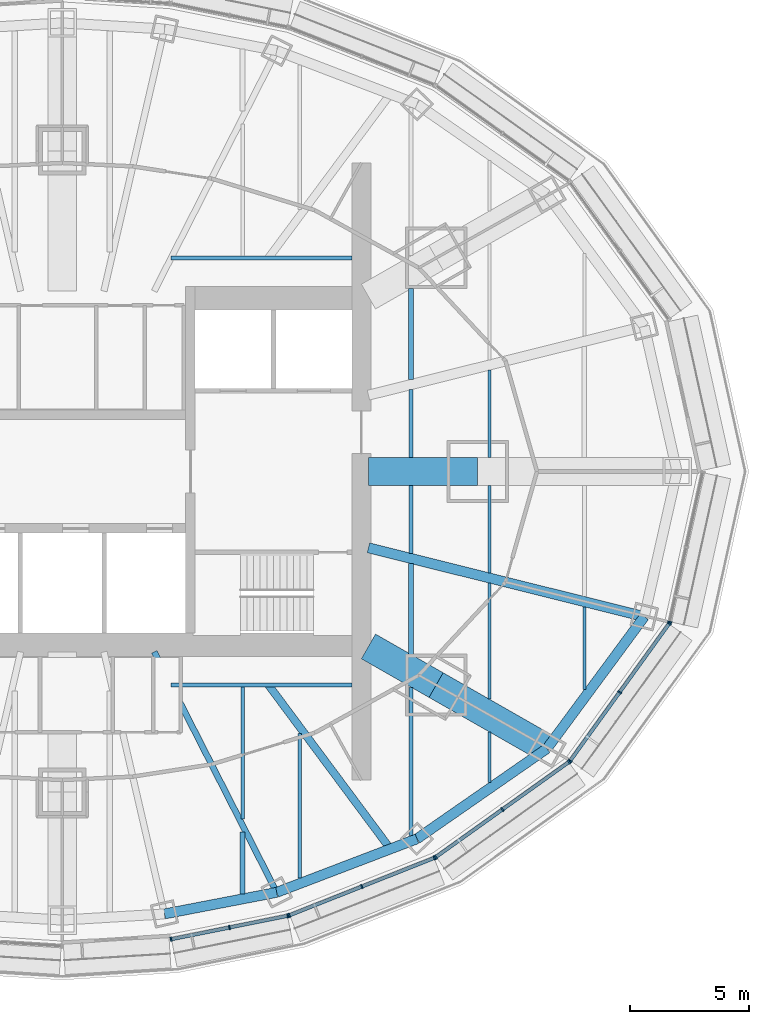
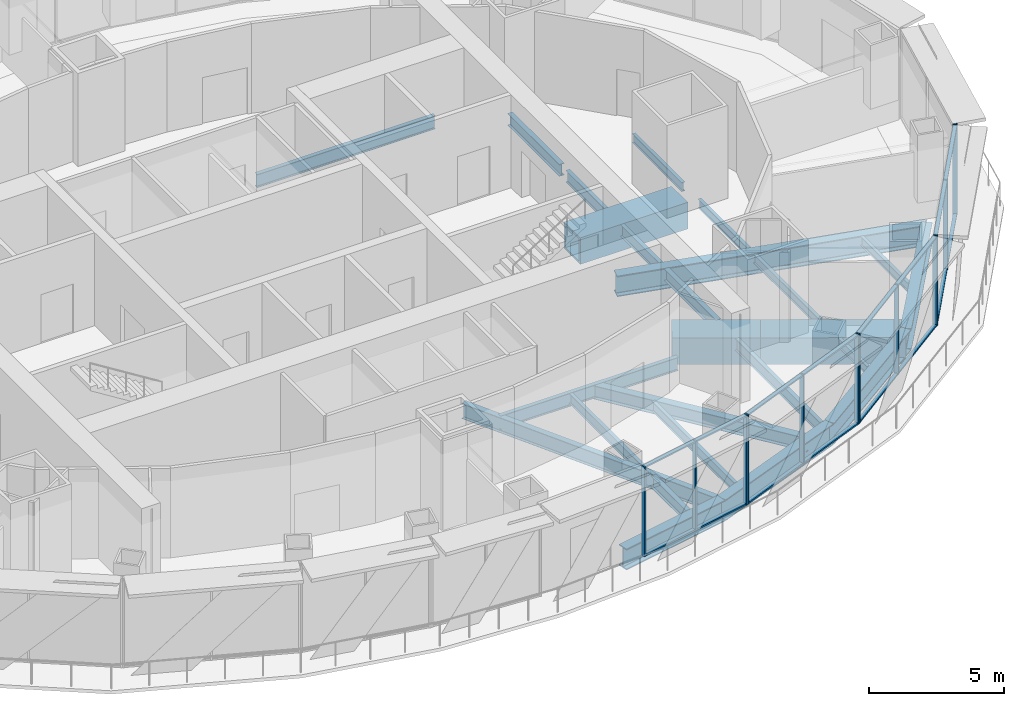
# One storey, part 5 of 17: 29 members, 25 beams, 5 elements without a shape of their own.
"""IFC4 building model written with IfcOpenShell, lengths in metres."""

from ifc_helpers import new_model, si_unit, direction, frame, origin, origin_2d, place, context, subcontext, project, spatial, rectangle, hollow_rectangle, i_section, extrude, material, material_profile, profile_set, type_object, element, aggregate, save


model = new_model("IFC4")

# Units and contexts
model_context = context("Model", 3, precision=1e-05, world=origin(), true_north=direction((0.0, 1.0)))
body_context = subcontext(model_context, "Body", "Model", "MODEL_VIEW")
ifc_project = project(units=[si_unit("LENGTHUNIT", "METRE"), si_unit("AREAUNIT", "SQUARE_METRE"), si_unit("VOLUMEUNIT", "CUBIC_METRE"), si_unit("PLANEANGLEUNIT", "RADIAN"), si_unit("MASSUNIT", "GRAM", prefix="KILO")], contexts=[model_context])

# Site, building, storey
site_placement = place(None, origin())
site = spatial("IfcSite", under=ifc_project, at=site_placement, CompositionType="ELEMENT")
building_placement = place(site_placement, origin())
building = spatial("IfcBuilding", under=site, at=building_placement, Name="Lantaw Convention Tower", CompositionType="ELEMENT")
storey_placement = place(building_placement, frame((0.0, 0.0, 199.0)))
storey = spatial("IfcBuildingStorey", under=building, at=storey_placement, Name="L46", CompositionType="ELEMENT", Elevation=199.0)

# Beams
ifc_material_1 = material(Name="Steel ASTM A992", Category="steel")
ifc_material_profile_1 = material_profile(ifc_material_1, i_section(OverallWidth=0.424072265625, OverallDepth=0.947509765625, WebThickness=0.02392578125, FlangeThickness=0.042724609375, FilletRadius=0.012451171875, at=origin_2d()), Name="W36X302")
ifc_profile_set_1 = profile_set([ifc_material_profile_1], Name="Steel ASTM A992")
beam_type_1 = type_object("IfcBeamType", Name="Beam BC W36X302", PredefinedType="SPANDREL", material=ifc_profile_set_1)
beam_1_placement = place(storey_placement, frame((4.303955078125, -18.64208984375, -0.623779296875), z_axis=(0.981972091702, 0.189025953556, 0.0), x_axis=(-0.189025953556, 0.981972091702, 0.0)))
element("IfcBeam", 1, at=beam_1_placement, inside=storey, type_object=beam_type_1, Name="Belt truss chord 20", PredefinedType="SPANDREL", context=body_context, shape_type="SweptSolid", body=[
    extrude(i_section(OverallWidth=0.424072265625, OverallDepth=0.947509765625, WebThickness=0.02392578125, FlangeThickness=0.042724609375, FilletRadius=0.012451171875, at=origin_2d()), origin(), (0.0, 0.0, 1.0), 4.817626953125),
])
beam_2_placement = place(storey_placement, frame((9.03466796875, -17.7314453125, -0.623779296875), z_axis=(0.934234988, 0.356658081637, 0.0), x_axis=(-0.356658081637, 0.934234988, 0.0)))
element("IfcBeam", 2, at=beam_2_placement, inside=storey, type_object=beam_type_1, Name="Belt truss chord 21", PredefinedType="SPANDREL", context=body_context, shape_type="SweptSolid", body=[
    extrude(i_section(OverallWidth=0.424072265625, OverallDepth=0.947509765625, WebThickness=0.02392578125, FlangeThickness=0.042724609375, FilletRadius=0.012451171875, at=origin_2d()), origin(), (0.0, 0.0, 1.0), 6.32568359375),
])
beam_3_placement = place(storey_placement, frame((14.9443359375, -15.475341796875, -0.623779296875), z_axis=(0.82135329406, 0.570419815869, 0.0), x_axis=(-0.570419815869, 0.82135329406, 0.0)))
element("IfcBeam", 3, at=beam_3_placement, inside=storey, type_object=beam_type_1, Name="Belt truss chord 22", PredefinedType="SPANDREL", context=body_context, shape_type="SweptSolid", body=[
    extrude(i_section(OverallWidth=0.424072265625, OverallDepth=0.947509765625, WebThickness=0.02392578125, FlangeThickness=0.042724609375, FilletRadius=0.012451171875, at=origin_2d()), origin(), (0.0, 0.0, 1.0), 6.67041015625),
])
beam_4_placement = place(storey_placement, frame((20.423095703125, -11.67041015625, -0.623779296875), z_axis=(0.593639188853, 0.804731329984, 0.0), x_axis=(-0.804731329984, 0.593639188853, 0.0)))
element("IfcBeam", 4, at=beam_4_placement, inside=storey, type_object=beam_type_1, Name="Belt truss chord 23", PredefinedType="SPANDREL", context=body_context, shape_type="SweptSolid", body=[
    extrude(i_section(OverallWidth=0.424072265625, OverallDepth=0.947509765625, WebThickness=0.02392578125, FlangeThickness=0.042724609375, FilletRadius=0.012451171875, at=origin_2d()), origin(), (0.0, 0.0, 1.0), 6.904541015625),
])
ifc_material_profile_2 = material_profile(ifc_material_1, i_section(OverallWidth=0.177978515625, OverallDepth=0.599365234375, WebThickness=0.010009765625, FlangeThickness=0.012939453125, FilletRadius=0.012939453125, at=origin_2d()), Name="W24X55")
ifc_profile_set_2 = profile_set([ifc_material_profile_2], Name="Steel ASTM A992")
beam_type_2 = type_object("IfcBeamType", Name="Beam CC W24X55", PredefinedType="BEAM", material=ifc_profile_set_2)
for number, where, z_axis, x_axis, name in (
    (5, (12.199951171875, 9.0, -0.44970703125), (-1.0, 0.0, 0.0), (0.0, -1.0, 0.0), "Core collector beam on ray 4"),
    (6, (12.199951171875, -9.0, -0.44970703125), (-1.0, 0.0, 0.0), (0.0, -1.0, 0.0), "Core collector beam on ray 22"),
):
    element("IfcBeam", number, at=place(storey_placement, frame(where, z_axis=z_axis, x_axis=x_axis)), inside=storey, type_object=beam_type_2, Name=name, PredefinedType="BEAM", context=body_context, shape_type="SweptSolid", body=[
        extrude(i_section(OverallWidth=0.177978515625, OverallDepth=0.599365234375, WebThickness=0.010009765625, FlangeThickness=0.012939453125, FilletRadius=0.012939453125, at=origin_2d()), origin(), (0.0, 0.0, 1.0), 7.6142578125),
    ])
ifc_material_2 = material(Name="Steel EN 10025-3 S460N", Category="steel")
ifc_material_profile_3 = material_profile(ifc_material_2, hollow_rectangle(XDim=1.199951171875, YDim=1.199951171875, WallThickness=0.10009765625, at=origin_2d()), Name="BOX1200X100")
ifc_profile_set_3 = profile_set([ifc_material_profile_3], Name="Steel EN 10025-3 S460N")
beam_type_3 = type_object("IfcBeamType", Name="Beam G BOX1200X100", PredefinedType="BEAM", material=ifc_profile_set_3)
beam_5_placement = place(storey_placement, frame((15.75, -9.0, -0.75), z_axis=(0.868237559289, -0.496148708192, 0.0), x_axis=(0.496148708192, 0.868237559289, 0.0)))
element("IfcBeam", 7, at=beam_5_placement, inside=storey, type_object=beam_type_3, Name="Floor girder on ray 23", PredefinedType="BEAM", context=body_context, shape_type="SweptSolid", body=[
    extrude(hollow_rectangle(XDim=1.199951171875, YDim=1.199951171875, WallThickness=0.10009765625, at=origin_2d()), origin(), (0.0, 0.0, 1.0), 5.38232421875),
])
ifc_material_profile_4 = material_profile(ifc_material_1, i_section(OverallWidth=0.3251953125, OverallDepth=0.612060546875, WebThickness=0.0126953125, FlangeThickness=0.01904296875, FilletRadius=0.0126953125, at=origin_2d()), Name="W24X104")
ifc_profile_set_4 = profile_set([ifc_material_profile_4], Name="Steel ASTM A992")
beam_type_4 = type_object("IfcBeamType", Name="Beam G W24X104", PredefinedType="BEAM", material=ifc_profile_set_4)
beam_6_placement = place(storey_placement, frame((8.691162109375, -9.0, -0.4560546875), z_axis=(0.596616067071, -0.802526802364, 0.0), x_axis=(0.802526802364, 0.596616067071, 0.0)))
element("IfcBeam", 8, at=beam_6_placement, inside=storey, type_object=beam_type_4, Name="Floor girder on ray 22", PredefinedType="BEAM", context=body_context, shape_type="SweptSolid", body=[
    extrude(i_section(OverallWidth=0.3251953125, OverallDepth=0.612060546875, WebThickness=0.0126953125, FlangeThickness=0.01904296875, FilletRadius=0.0126953125, at=origin_2d()), origin(), (0.0, 0.0, 1.0), 8.60205078125),
])
ifc_material_profile_5 = material_profile(ifc_material_1, i_section(OverallWidth=0.25390625, OverallDepth=0.683349609375, WebThickness=0.012451171875, FlangeThickness=0.01904296875, FilletRadius=0.01513671875, at=origin_2d()), Name="W27X94")
ifc_profile_set_5 = profile_set([ifc_material_profile_5], Name="Steel ASTM A992")
beam_type_5 = type_object("IfcBeamType", Name="Beam G W27X94", PredefinedType="BEAM", material=ifc_profile_set_5)
beam_7_placement = place(storey_placement, frame((3.872314453125, -7.60009765625, -0.49169921875), z_axis=(0.454002651457, -0.891000332475, 0.0), x_axis=(0.891000332475, 0.454002651457, 0.0)))
element("IfcBeam", 9, at=beam_7_placement, inside=storey, type_object=beam_type_5, Name="Floor girder on ray 21", PredefinedType="BEAM", context=body_context, shape_type="SweptSolid", body=[
    extrude(i_section(OverallWidth=0.25390625, OverallDepth=0.683349609375, WebThickness=0.012451171875, FlangeThickness=0.01904296875, FilletRadius=0.01513671875, at=origin_2d()), origin(), (0.0, 0.0, 1.0), 11.370849609375),
])
ifc_material_profile_6 = material_profile(ifc_material_1, i_section(OverallWidth=0.421630859375, OverallDepth=0.937255859375, WebThickness=0.0224609375, FlangeThickness=0.039794921875, FilletRadius=0.02001953125, at=origin_2d()), Name="W36X282")
ifc_profile_set_6 = profile_set([ifc_material_profile_6], Name="Steel ASTM A992")
beam_type_6 = type_object("IfcBeamType", Name="Beam G W36X282", PredefinedType="BEAM", material=ifc_profile_set_6)
beam_8_placement = place(storey_placement, frame((12.89990234375, -3.21630859375, -0.61865234375), z_axis=(0.970295775305, -0.241921698956, 0.0), x_axis=(0.241921698956, 0.970295775305, 0.0)))
element("IfcBeam", 10, at=beam_8_placement, inside=storey, type_object=beam_type_6, Name="Floor girder on ray 24", PredefinedType="BEAM", context=body_context, shape_type="SweptSolid", body=[
    extrude(i_section(OverallWidth=0.421630859375, OverallDepth=0.937255859375, WebThickness=0.0224609375, FlangeThickness=0.039794921875, FilletRadius=0.02001953125, at=origin_2d()), origin(), (0.0, 0.0, 1.0), 11.977783203125),
])
ifc_material_profile_7 = material_profile(ifc_material_1, i_section(OverallWidth=0.140380859375, OverallDepth=0.40380859375, WebThickness=0.007080078125, FlangeThickness=0.01123046875, FilletRadius=0.01025390625, at=origin_2d()), Name="W16X31")
ifc_profile_set_7 = profile_set([ifc_material_profile_7], Name="Steel ASTM A992")
beam_type_7 = type_object("IfcBeamType", Name="Beam J W16X31", PredefinedType="JOIST", material=ifc_profile_set_7)
beam_9_placement = place(storey_placement, frame((18.0, -13.094970703125, -0.35205078125), z_axis=(0.0, 1.0, 0.0), x_axis=(-1.0, 0.0, 0.0)))
element("IfcBeam", 11, at=beam_9_placement, inside=storey, type_object=beam_type_7, Name="Floor joist", PredefinedType="JOIST", context=body_context, shape_type="SweptSolid", body=[
    extrude(i_section(OverallWidth=0.140380859375, OverallDepth=0.40380859375, WebThickness=0.007080078125, FlangeThickness=0.01123046875, FilletRadius=0.01025390625, at=origin_2d()), origin(), (0.0, 0.0, 1.0), 2.1181640625),
])
beam_10_placement = place(storey_placement, frame((18.0, -9.5947265625, -0.35205078125), z_axis=(0.0, 1.0, 0.0), x_axis=(-1.0, 0.0, 0.0)))
element("IfcBeam", 12, at=beam_10_placement, inside=storey, type_object=beam_type_7, Name="Floor joist", PredefinedType="JOIST", context=body_context, shape_type="SweptSolid", body=[
    extrude(i_section(OverallWidth=0.140380859375, OverallDepth=0.40380859375, WebThickness=0.007080078125, FlangeThickness=0.01123046875, FilletRadius=0.01025390625, at=origin_2d()), origin(), (0.0, 0.0, 1.0), 4.8896484375),
])
for number, where, z_axis, x_axis, name in (
    (13, (18.0, -4.270751953125, -0.35205078125), (0.0, 1.0, 0.0), (-1.0, 0.0, 0.0), "Floor joist"),
    (14, (18.0, 0.60009765625, -0.35205078125), (0.0, 1.0, 0.0), (-1.0, 0.0, 0.0), "Floor joist"),
):
    element("IfcBeam", number, at=place(storey_placement, frame(where, z_axis=z_axis, x_axis=x_axis)), inside=storey, type_object=beam_type_7, Name=name, PredefinedType="JOIST", context=body_context, shape_type="SweptSolid", body=[
        extrude(i_section(OverallWidth=0.140380859375, OverallDepth=0.40380859375, WebThickness=0.007080078125, FlangeThickness=0.01123046875, FilletRadius=0.01025390625, at=origin_2d()), origin(), (0.0, 0.0, 1.0), 3.670654296875),
    ])
beam_11_placement = place(storey_placement, frame((22.0, -9.175537109375, -0.35205078125), z_axis=(0.0, 1.0, 0.0), x_axis=(-1.0, 0.0, 0.0)))
element("IfcBeam", 15, at=beam_11_placement, inside=storey, type_object=beam_type_7, Name="Floor joist", PredefinedType="JOIST", context=body_context, shape_type="SweptSolid", body=[
    extrude(i_section(OverallWidth=0.140380859375, OverallDepth=0.40380859375, WebThickness=0.007080078125, FlangeThickness=0.01123046875, FilletRadius=0.01025390625, at=origin_2d()), origin(), (0.0, 0.0, 1.0), 3.47314453125),
])
ifc_material_profile_8 = material_profile(ifc_material_1, i_section(OverallWidth=0.15234375, OverallDepth=0.449462890625, WebThickness=0.007568359375, FlangeThickness=0.0107421875, FilletRadius=0.01025390625, at=origin_2d()), Name="W18X35")
ifc_profile_set_8 = profile_set([ifc_material_profile_8], Name="Steel ASTM A992")
beam_type_8 = type_object("IfcBeamType", Name="Beam J W18X35", PredefinedType="JOIST", material=ifc_profile_set_8)
beam_12_placement = place(storey_placement, frame((7.60009765625, -14.635986328125, -0.374755859375), z_axis=(0.0, 1.0, 0.0), x_axis=(-1.0, 0.0, 0.0)))
element("IfcBeam", 16, at=beam_12_placement, inside=storey, type_object=beam_type_8, Name="Floor joist", PredefinedType="JOIST", context=body_context, shape_type="SweptSolid", body=[
    extrude(i_section(OverallWidth=0.15234375, OverallDepth=0.449462890625, WebThickness=0.007568359375, FlangeThickness=0.0107421875, FilletRadius=0.01025390625, at=origin_2d()), origin(), (0.0, 0.0, 1.0), 5.546875),
])
beam_13_placement = place(storey_placement, frame((10.0, -17.135986328125, -0.374755859375), z_axis=(0.0, 1.0, 0.0), x_axis=(-1.0, 0.0, 0.0)))
element("IfcBeam", 17, at=beam_13_placement, inside=storey, type_object=beam_type_8, Name="Floor joist", PredefinedType="JOIST", context=body_context, shape_type="SweptSolid", body=[
    extrude(i_section(OverallWidth=0.15234375, OverallDepth=0.449462890625, WebThickness=0.007568359375, FlangeThickness=0.0107421875, FilletRadius=0.01025390625, at=origin_2d()), origin(), (0.0, 0.0, 1.0), 6.10302734375),
])
ifc_material_profile_9 = material_profile(ifc_material_1, i_section(OverallWidth=0.1650390625, OverallDepth=0.52587890625, WebThickness=0.0087890625, FlangeThickness=0.011474609375, FilletRadius=0.0126953125, at=origin_2d()), Name="W21X44")
ifc_profile_set_9 = profile_set([ifc_material_profile_9], Name="Steel ASTM A992")
beam_type_9 = type_object("IfcBeamType", Name="Beam J W21X44", PredefinedType="JOIST", material=ifc_profile_set_9)
beam_14_placement = place(storey_placement, frame((14.699951171875, -15.341796875, -0.412841796875), z_axis=(0.0, 1.0, 0.0), x_axis=(-1.0, 0.0, 0.0)))
element("IfcBeam", 18, at=beam_14_placement, inside=storey, type_object=beam_type_9, Name="Floor joist", PredefinedType="JOIST", context=body_context, shape_type="SweptSolid", body=[
    extrude(i_section(OverallWidth=0.1650390625, OverallDepth=0.52587890625, WebThickness=0.0087890625, FlangeThickness=0.011474609375, FilletRadius=0.0126953125, at=origin_2d()), origin(), (0.0, 0.0, 1.0), 6.250732421875),
])
for number, where, z_axis, x_axis, name in (
    (19, (14.699951171875, -3.44775390625, -0.412841796875), (0.0, 1.0, 0.0), (-1.0, 0.0, 0.0), "Floor joist"),
    (20, (14.699951171875, 0.60009765625, -0.412841796875), (0.0, 1.0, 0.0), (-1.0, 0.0, 0.0), "Floor joist"),
):
    element("IfcBeam", number, at=place(storey_placement, frame(where, z_axis=z_axis, x_axis=x_axis)), inside=storey, type_object=beam_type_9, Name=name, PredefinedType="JOIST", context=body_context, shape_type="SweptSolid", body=[
        extrude(i_section(OverallWidth=0.1650390625, OverallDepth=0.52587890625, WebThickness=0.0087890625, FlangeThickness=0.011474609375, FilletRadius=0.0126953125, at=origin_2d()), origin(), (0.0, 0.0, 1.0), 2.84765625),
    ])
ifc_material_profile_10 = material_profile(ifc_material_1, i_section(OverallWidth=0.2099609375, OverallDepth=0.535888671875, WebThickness=0.010986328125, FlangeThickness=0.017333984375, FilletRadius=0.012939453125, at=origin_2d()), Name="W21X68")
ifc_profile_set_10 = profile_set([ifc_material_profile_10], Name="Steel ASTM A992")
beam_type_10 = type_object("IfcBeamType", Name="Beam J W21X68", PredefinedType="JOIST", material=ifc_profile_set_10)
beam_15_placement = place(storey_placement, frame((7.60009765625, -17.791748046875, -0.41796875), z_axis=(0.0, 1.0, 0.0), x_axis=(-1.0, 0.0, 0.0)))
element("IfcBeam", 21, at=beam_15_placement, inside=storey, type_object=beam_type_10, Name="Floor joist", PredefinedType="JOIST", context=body_context, shape_type="SweptSolid", body=[
    extrude(i_section(OverallWidth=0.2099609375, OverallDepth=0.535888671875, WebThickness=0.010986328125, FlangeThickness=0.017333984375, FilletRadius=0.012939453125, at=origin_2d()), origin(), (0.0, 0.0, 1.0), 2.59619140625),
])
for number, where, z_axis, x_axis, name in (
    (22, (14.699951171875, -7.708984375, -0.41796875), (0.0, 1.0, 0.0), (-1.0, 0.0, 0.0), "Floor joist"),
    (23, (14.699951171875, 3.88232421875, -0.41796875), (0.0, 1.0, 0.0), (-1.0, 0.0, 0.0), "Floor joist"),
):
    element("IfcBeam", number, at=place(storey_placement, frame(where, z_axis=z_axis, x_axis=x_axis)), inside=storey, type_object=beam_type_10, Name=name, PredefinedType="JOIST", context=body_context, shape_type="SweptSolid", body=[
        extrude(i_section(OverallWidth=0.2099609375, OverallDepth=0.535888671875, WebThickness=0.010986328125, FlangeThickness=0.017333984375, FilletRadius=0.012939453125, at=origin_2d()), origin(), (0.0, 0.0, 1.0), 3.82666015625),
    ])
ifc_material_profile_11 = material_profile(ifc_material_2, hollow_rectangle(XDim=1.199951171875, YDim=1.199951171875, WallThickness=0.10009765625, at=origin_2d()), Name="BOX1200X100")
ifc_profile_set_11 = profile_set([ifc_material_profile_11], Name="Steel EN 10025-3 S460N")
beam_type_11 = type_object("IfcBeamType", Name="Beam OC BOX1200X100", PredefinedType="BEAM", material=ifc_profile_set_11)
beam_16_placement = place(storey_placement, frame((12.89990234375, 0.0, -0.75), z_axis=(1.0, 0.0, 0.0), x_axis=(0.0, 1.0, 0.0)))
element("IfcBeam", 24, at=beam_16_placement, inside=storey, type_object=beam_type_11, Name="Outrigger chord on ray 1", PredefinedType="BEAM", context=body_context, shape_type="SweptSolid", body=[
    extrude(hollow_rectangle(XDim=1.199951171875, YDim=1.199951171875, WallThickness=0.10009765625, at=origin_2d()), origin(), (0.0, 0.0, 1.0), 4.60009765625),
])
beam_17_placement = place(storey_placement, frame((12.89990234375, -7.371337890625, -0.75), z_axis=(0.868238565244, -0.496146947811, 0.0), x_axis=(0.496146947811, 0.868238565244, 0.0)))
element("IfcBeam", 25, at=beam_17_placement, inside=storey, type_object=beam_type_11, Name="Outrigger chord on ray 23", PredefinedType="BEAM", context=body_context, shape_type="SweptSolid", body=[
    extrude(hollow_rectangle(XDim=1.199951171875, YDim=1.199951171875, WallThickness=0.10009765625, at=origin_2d()), origin(), (0.0, 0.0, 1.0), 3.28271484375),
])

# Curtain wall, members
ifc_material_3 = material(Name="Aluminium framed curtain wall", Category="aluminium")
curtain_wall_type = type_object("IfcCurtainWallType", Name="Office curtain wall high rise, pale aluminium", PredefinedType="USERDEFINED", material=ifc_material_3)
curtain_wall_1_placement = place(storey_placement, origin())
curtain_wall_1 = element("IfcCurtainWall", 26, at=curtain_wall_1_placement, inside=storey, type_object=curtain_wall_type, Name="Office curtain wall high rise, pale aluminium L46", ObjectType="UNITISED CURTAIN WALL", PredefinedType="USERDEFINED")
ifc_material_4 = material(Name="Aluminium 6063-T6", Category="aluminium")
ifc_material_profile_12 = material_profile(ifc_material_4, rectangle(XDim=0.179931640625, YDim=0.06494140625, at=origin_2d()), Name="CW-O2 mullion 65x180")
ifc_profile_set_12 = profile_set([ifc_material_profile_12], Name="Aluminium 6063-T6")
member_type_1 = type_object("IfcMemberType", Name="CW-O2 mullion 65x180", PredefinedType="MULLION", material=ifc_profile_set_12)
member_1_placement = place(storey_placement, frame((4.583251953125, -19.70751953125, 0.0), z_axis=(0.0, 0.0, 1.0), x_axis=(-0.197183095987, 0.980366679695, 0.0)))
member_1 = element("IfcMember", 27, at=member_1_placement, type_object=member_type_1, Name="CW-O2 mullion 1", PredefinedType="MULLION", context=body_context, shape_type="SweptSolid", body=[
    extrude(rectangle(XDim=0.179931640625, YDim=0.06494140625, at=origin_2d()), origin(), (0.0, 0.0, 1.0), 4.050048828125),
])
member_2_placement = place(storey_placement, frame((7.042724609375, -19.212646484375, 0.0), z_axis=(0.0, 0.0, 1.0), x_axis=(-0.197183095987, 0.980366679695, 0.0)))
member_2 = element("IfcMember", 28, at=member_2_placement, type_object=member_type_1, Name="CW-O2 mullion 2", PredefinedType="MULLION", context=body_context, shape_type="SweptSolid", body=[
    extrude(rectangle(XDim=0.179931640625, YDim=0.06494140625, at=origin_2d()), origin(), (0.0, 0.0, 1.0), 4.050048828125),
])
member_3_placement = place(storey_placement, frame((9.502197265625, -18.718017578125, 0.0), z_axis=(0.0, 0.0, 1.0), x_axis=(-0.197183095987, 0.980366679695, 0.0)))
member_3 = element("IfcMember", 29, at=member_3_placement, type_object=member_type_1, Name="CW-O2 mullion 3", PredefinedType="MULLION", context=body_context, shape_type="SweptSolid", body=[
    extrude(rectangle(XDim=0.179931640625, YDim=0.06494140625, at=origin_2d()), origin(), (0.0, 0.0, 1.0), 4.050048828125),
])

curtain_wall_2_placement = place(storey_placement, origin())
curtain_wall_2 = element("IfcCurtainWall", 30, at=curtain_wall_2_placement, inside=storey, type_object=curtain_wall_type, Name="Office curtain wall high rise, pale aluminium L46", ObjectType="UNITISED CURTAIN WALL", PredefinedType="USERDEFINED")
member_4_placement = place(storey_placement, frame((9.564208984375, -18.69970703125, 0.0), z_axis=(0.0, 0.0, 1.0), x_axis=(-0.368162315252, 0.929761533743, 0.0)))
member_4 = element("IfcMember", 31, at=member_4_placement, type_object=member_type_1, Name="CW-O2 mullion 1", PredefinedType="MULLION", context=body_context, shape_type="SweptSolid", body=[
    extrude(rectangle(XDim=0.179931640625, YDim=0.06494140625, at=origin_2d()), origin(), (0.0, 0.0, 1.0), 4.050048828125),
])
member_5_placement = place(storey_placement, frame((12.621337890625, -17.4892578125, 0.0), z_axis=(0.0, 0.0, 1.0), x_axis=(-0.368162315252, 0.929761533743, 0.0)))
member_5 = element("IfcMember", 32, at=member_5_placement, type_object=member_type_1, Name="CW-O2 mullion 2", PredefinedType="MULLION", context=body_context, shape_type="SweptSolid", body=[
    extrude(rectangle(XDim=0.179931640625, YDim=0.06494140625, at=origin_2d()), origin(), (0.0, 0.0, 1.0), 4.050048828125),
])
member_6_placement = place(storey_placement, frame((15.67822265625, -16.278564453125, 0.0), z_axis=(0.0, 0.0, 1.0), x_axis=(-0.368162315252, 0.929761533743, 0.0)))
member_6 = element("IfcMember", 33, at=member_6_placement, type_object=member_type_1, Name="CW-O2 mullion 3", PredefinedType="MULLION", context=body_context, shape_type="SweptSolid", body=[
    extrude(rectangle(XDim=0.179931640625, YDim=0.06494140625, at=origin_2d()), origin(), (0.0, 0.0, 1.0), 4.050048828125),
])

curtain_wall_3_placement = place(storey_placement, origin())
curtain_wall_3 = element("IfcCurtainWall", 34, at=curtain_wall_3_placement, inside=storey, type_object=curtain_wall_type, Name="Office curtain wall high rise, pale aluminium L46", ObjectType="UNITISED CURTAIN WALL", PredefinedType="USERDEFINED")
member_7_placement = place(storey_placement, frame((15.73486328125, -16.247802734375, 0.0), z_axis=(0.0, 0.0, 1.0), x_axis=(-0.581323487281, 0.813672540482, 0.0)))
member_7 = element("IfcMember", 35, at=member_7_placement, type_object=member_type_1, Name="CW-O2 mullion 1", PredefinedType="MULLION", context=body_context, shape_type="SweptSolid", body=[
    extrude(rectangle(XDim=0.179931640625, YDim=0.06494140625, at=origin_2d()), origin(), (0.0, 0.0, 1.0), 4.050048828125),
])
member_8_placement = place(storey_placement, frame((18.543212890625, -14.241455078125, 0.0), z_axis=(0.0, 0.0, 1.0), x_axis=(-0.581323487281, 0.813672540482, 0.0)))
member_8 = element("IfcMember", 36, at=member_8_placement, type_object=member_type_1, Name="CW-O2 mullion 2", PredefinedType="MULLION", context=body_context, shape_type="SweptSolid", body=[
    extrude(rectangle(XDim=0.179931640625, YDim=0.06494140625, at=origin_2d()), origin(), (0.0, 0.0, 1.0), 4.050048828125),
])
member_9_placement = place(storey_placement, frame((21.3515625, -12.23486328125, 0.0), z_axis=(0.0, 0.0, 1.0), x_axis=(-0.581323487281, 0.813672540482, 0.0)))
member_9 = element("IfcMember", 37, at=member_9_placement, type_object=member_type_1, Name="CW-O2 mullion 3", PredefinedType="MULLION", context=body_context, shape_type="SweptSolid", body=[
    extrude(rectangle(XDim=0.179931640625, YDim=0.06494140625, at=origin_2d()), origin(), (0.0, 0.0, 1.0), 4.050048828125),
])

curtain_wall_4_placement = place(storey_placement, origin())
curtain_wall_4 = element("IfcCurtainWall", 38, at=curtain_wall_4_placement, inside=storey, type_object=curtain_wall_type, Name="Office curtain wall high rise, pale aluminium L46", ObjectType="UNITISED CURTAIN WALL", PredefinedType="USERDEFINED")
member_10_placement = place(storey_placement, frame((21.397216796875, -12.189697265625, 0.0), z_axis=(0.0, 0.0, 1.0), x_axis=(-0.810919559405, 0.585157643865, 0.0)))
member_10 = element("IfcMember", 39, at=member_10_placement, type_object=member_type_1, Name="CW-O2 mullion 1", PredefinedType="MULLION", context=body_context, shape_type="SweptSolid", body=[
    extrude(rectangle(XDim=0.179931640625, YDim=0.06494140625, at=origin_2d()), origin(), (0.0, 0.0, 1.0), 4.050048828125),
])
member_11_placement = place(storey_placement, frame((23.483642578125, -9.298095703125, 0.0), z_axis=(0.0, 0.0, 1.0), x_axis=(-0.810919559405, 0.585157643865, 0.0)))
member_11 = element("IfcMember", 40, at=member_11_placement, type_object=member_type_1, Name="CW-O2 mullion 2", PredefinedType="MULLION", context=body_context, shape_type="SweptSolid", body=[
    extrude(rectangle(XDim=0.179931640625, YDim=0.06494140625, at=origin_2d()), origin(), (0.0, 0.0, 1.0), 4.050048828125),
])
member_12_placement = place(storey_placement, frame((25.5703125, -6.406494140625, 0.0), z_axis=(0.0, 0.0, 1.0), x_axis=(-0.810919559405, 0.585157643865, 0.0)))
member_12 = element("IfcMember", 41, at=member_12_placement, type_object=member_type_1, Name="CW-O2 mullion 3", PredefinedType="MULLION", context=body_context, shape_type="SweptSolid", body=[
    extrude(rectangle(XDim=0.179931640625, YDim=0.06494140625, at=origin_2d()), origin(), (0.0, 0.0, 1.0), 4.050048828125),
])

# Curtain wall, member
curtain_wall_5_placement = place(storey_placement, origin())
curtain_wall_5 = element("IfcCurtainWall", 42, at=curtain_wall_5_placement, inside=storey, type_object=curtain_wall_type, Name="Office curtain wall high rise, pale aluminium L46", ObjectType="UNITISED CURTAIN WALL", PredefinedType="USERDEFINED")
member_13_placement = place(storey_placement, frame((25.596435546875, -6.348388671875, 0.0), z_axis=(0.0, 0.0, 1.0), x_axis=(-0.976417396437, 0.215891333626, 0.0)))
member_13 = element("IfcMember", 43, at=member_13_placement, type_object=member_type_1, Name="CW-O2 mullion 1", PredefinedType="MULLION", context=body_context, shape_type="SweptSolid", body=[
    extrude(rectangle(XDim=0.179931640625, YDim=0.06494140625, at=origin_2d()), origin(), (0.0, 0.0, 1.0), 4.050048828125),
])
aggregate(curtain_wall_5, [member_13])

# Member
ifc_material_profile_13 = material_profile(ifc_material_4, rectangle(XDim=0.14990234375, YDim=0.06494140625, at=origin_2d()), Name="CW-O2 transom 65x150")
ifc_profile_set_13 = profile_set([ifc_material_profile_13], Name="Aluminium 6063-T6")
member_type_2 = type_object("IfcMemberType", Name="CW-O2 transom 65x150", PredefinedType="USERDEFINED", material=ifc_profile_set_13)
member_14_placement = place(storey_placement, frame((4.614990234375, -19.700927734375, 0.032470703125), z_axis=(0.980380354178, 0.197115096178, 0.0), x_axis=(-0.197115096178, 0.980380354178, 0.0)))
member_14 = element("IfcMember", 44, at=member_14_placement, type_object=member_type_2, Name="CW-O2 transom 1.1", ObjectType="TRANSOM", PredefinedType="USERDEFINED", context=body_context, shape_type="SweptSolid", body=[
    extrude(rectangle(XDim=0.14990234375, YDim=0.06494140625, at=origin_2d()), origin(), (0.0, 0.0, 1.0), 2.443603515625),
])

member_15_placement = place(storey_placement, frame((4.614990234375, -19.700927734375, 4.017578125), z_axis=(0.980380354178, 0.197115096178, 0.0), x_axis=(-0.197115096178, 0.980380354178, 0.0)))
member_15 = element("IfcMember", 45, at=member_15_placement, type_object=member_type_2, Name="CW-O2 transom 1.2", ObjectType="TRANSOM", PredefinedType="USERDEFINED", context=body_context, shape_type="SweptSolid", body=[
    extrude(rectangle(XDim=0.14990234375, YDim=0.06494140625, at=origin_2d()), origin(), (0.0, 0.0, 1.0), 2.443603515625),
])

member_16_placement = place(storey_placement, frame((7.074462890625, -19.206298828125, 0.032470703125), z_axis=(0.98036104319, 0.197211117829, 0.0), x_axis=(-0.197211117829, 0.98036104319, 0.0)))
member_16 = element("IfcMember", 46, at=member_16_placement, type_object=member_type_2, Name="CW-O2 transom 2.1", ObjectType="TRANSOM", PredefinedType="USERDEFINED", context=body_context, shape_type="SweptSolid", body=[
    extrude(rectangle(XDim=0.14990234375, YDim=0.06494140625, at=origin_2d()), origin(), (0.0, 0.0, 1.0), 2.44384765625),
])

member_17_placement = place(storey_placement, frame((7.074462890625, -19.206298828125, 4.017578125), z_axis=(0.98036104319, 0.197211117829, 0.0), x_axis=(-0.197211117829, 0.98036104319, 0.0)))
member_17 = element("IfcMember", 47, at=member_17_placement, type_object=member_type_2, Name="CW-O2 transom 2.2", ObjectType="TRANSOM", PredefinedType="USERDEFINED", context=body_context, shape_type="SweptSolid", body=[
    extrude(rectangle(XDim=0.14990234375, YDim=0.06494140625, at=origin_2d()), origin(), (0.0, 0.0, 1.0), 2.44384765625),
])

aggregate(curtain_wall_1, [member_1, member_2, member_3, member_14, member_15, member_16, member_17])

member_18_placement = place(storey_placement, frame((9.594482421875, -18.687744140625, 0.032470703125), z_axis=(0.929766642946, 0.368149412149, 0.0), x_axis=(-0.368149412149, 0.929766642946, 0.0)))
member_18 = element("IfcMember", 48, at=member_18_placement, type_object=member_type_2, Name="CW-O2 transom 1.1", ObjectType="TRANSOM", PredefinedType="USERDEFINED", context=body_context, shape_type="SweptSolid", body=[
    extrude(rectangle(XDim=0.14990234375, YDim=0.06494140625, at=origin_2d()), origin(), (0.0, 0.0, 1.0), 3.222900390625),
])

member_19_placement = place(storey_placement, frame((9.594482421875, -18.687744140625, 4.017578125), z_axis=(0.929766642946, 0.368149412149, 0.0), x_axis=(-0.368149412149, 0.929766642946, 0.0)))
member_19 = element("IfcMember", 49, at=member_19_placement, type_object=member_type_2, Name="CW-O2 transom 1.2", ObjectType="TRANSOM", PredefinedType="USERDEFINED", context=body_context, shape_type="SweptSolid", body=[
    extrude(rectangle(XDim=0.14990234375, YDim=0.06494140625, at=origin_2d()), origin(), (0.0, 0.0, 1.0), 3.222900390625),
])

member_20_placement = place(storey_placement, frame((12.651611328125, -17.477294921875, 0.032470703125), z_axis=(0.929740712354, 0.368214893495, 0.0), x_axis=(-0.368214893495, 0.929740712354, 0.0)))
member_20 = element("IfcMember", 50, at=member_20_placement, type_object=member_type_2, Name="CW-O2 transom 2.1", ObjectType="TRANSOM", PredefinedType="USERDEFINED", context=body_context, shape_type="SweptSolid", body=[
    extrude(rectangle(XDim=0.14990234375, YDim=0.06494140625, at=origin_2d()), origin(), (0.0, 0.0, 1.0), 3.22314453125),
])

member_21_placement = place(storey_placement, frame((12.651611328125, -17.477294921875, 4.017578125), z_axis=(0.929740712354, 0.368214893495, 0.0), x_axis=(-0.368214893495, 0.929740712354, 0.0)))
member_21 = element("IfcMember", 51, at=member_21_placement, type_object=member_type_2, Name="CW-O2 transom 2.2", ObjectType="TRANSOM", PredefinedType="USERDEFINED", context=body_context, shape_type="SweptSolid", body=[
    extrude(rectangle(XDim=0.14990234375, YDim=0.06494140625, at=origin_2d()), origin(), (0.0, 0.0, 1.0), 3.22314453125),
])

aggregate(curtain_wall_2, [member_4, member_5, member_6, member_18, member_19, member_20, member_21])

member_22_placement = place(storey_placement, frame((15.761474609375, -16.22900390625, 0.032470703125), z_axis=(0.813645780821, 0.581360940683, 0.0), x_axis=(-0.581360940683, 0.813645780821, 0.0)))
member_22 = element("IfcMember", 52, at=member_22_placement, type_object=member_type_2, Name="CW-O2 transom 1.1", ObjectType="TRANSOM", PredefinedType="USERDEFINED", context=body_context, shape_type="SweptSolid", body=[
    extrude(rectangle(XDim=0.14990234375, YDim=0.06494140625, at=origin_2d()), origin(), (0.0, 0.0, 1.0), 3.386474609375),
])

member_23_placement = place(storey_placement, frame((15.761474609375, -16.22900390625, 4.017578125), z_axis=(0.813645780821, 0.581360940683, 0.0), x_axis=(-0.581360940683, 0.813645780821, 0.0)))
member_23 = element("IfcMember", 53, at=member_23_placement, type_object=member_type_2, Name="CW-O2 transom 1.2", ObjectType="TRANSOM", PredefinedType="USERDEFINED", context=body_context, shape_type="SweptSolid", body=[
    extrude(rectangle(XDim=0.14990234375, YDim=0.06494140625, at=origin_2d()), origin(), (0.0, 0.0, 1.0), 3.386474609375),
])

member_24_placement = place(storey_placement, frame((18.56982421875, -14.222412109375, 0.032470703125), z_axis=(0.813679882592, 0.581313210468, 0.0), x_axis=(-0.581313210468, 0.813679882592, 0.0)))
member_24 = element("IfcMember", 54, at=member_24_placement, type_object=member_type_2, Name="CW-O2 transom 2.1", ObjectType="TRANSOM", PredefinedType="USERDEFINED", context=body_context, shape_type="SweptSolid", body=[
    extrude(rectangle(XDim=0.14990234375, YDim=0.06494140625, at=origin_2d()), origin(), (0.0, 0.0, 1.0), 3.38623046875),
])

member_25_placement = place(storey_placement, frame((18.56982421875, -14.222412109375, 4.017578125), z_axis=(0.813679882592, 0.581313210468, 0.0), x_axis=(-0.581313210468, 0.813679882592, 0.0)))
member_25 = element("IfcMember", 55, at=member_25_placement, type_object=member_type_2, Name="CW-O2 transom 2.2", ObjectType="TRANSOM", PredefinedType="USERDEFINED", context=body_context, shape_type="SweptSolid", body=[
    extrude(rectangle(XDim=0.14990234375, YDim=0.06494140625, at=origin_2d()), origin(), (0.0, 0.0, 1.0), 3.38623046875),
])

aggregate(curtain_wall_3, [member_7, member_8, member_9, member_22, member_23, member_24, member_25])

member_26_placement = place(storey_placement, frame((21.416259765625, -12.163330078125, 0.032470703125), z_axis=(0.585123825205, 0.810943961798, 0.0), x_axis=(-0.810943961798, 0.585123825205, 0.0)))
member_26 = element("IfcMember", 56, at=member_26_placement, type_object=member_type_2, Name="CW-O2 transom 1.1", ObjectType="TRANSOM", PredefinedType="USERDEFINED", context=body_context, shape_type="SweptSolid", body=[
    extrude(rectangle(XDim=0.14990234375, YDim=0.06494140625, at=origin_2d()), origin(), (0.0, 0.0, 1.0), 3.500732421875),
])

member_27_placement = place(storey_placement, frame((21.416259765625, -12.163330078125, 4.017578125), z_axis=(0.585123825205, 0.810943961798, 0.0), x_axis=(-0.810943961798, 0.585123825205, 0.0)))
member_27 = element("IfcMember", 57, at=member_27_placement, type_object=member_type_2, Name="CW-O2 transom 1.2", ObjectType="TRANSOM", PredefinedType="USERDEFINED", context=body_context, shape_type="SweptSolid", body=[
    extrude(rectangle(XDim=0.14990234375, YDim=0.06494140625, at=origin_2d()), origin(), (0.0, 0.0, 1.0), 3.500732421875),
])

member_28_placement = place(storey_placement, frame((23.502685546875, -9.271728515625, 0.032470703125), z_axis=(0.585169685931, 0.810910869743, 0.0), x_axis=(-0.810910869743, 0.585169685931, 0.0)))
member_28 = element("IfcMember", 58, at=member_28_placement, type_object=member_type_2, Name="CW-O2 transom 2.1", ObjectType="TRANSOM", PredefinedType="USERDEFINED", context=body_context, shape_type="SweptSolid", body=[
    extrude(rectangle(XDim=0.14990234375, YDim=0.06494140625, at=origin_2d()), origin(), (0.0, 0.0, 1.0), 3.500732421875),
])

member_29_placement = place(storey_placement, frame((23.502685546875, -9.271728515625, 4.017578125), z_axis=(0.585169685931, 0.810910869743, 0.0), x_axis=(-0.810910869743, 0.585169685931, 0.0)))
member_29 = element("IfcMember", 59, at=member_29_placement, type_object=member_type_2, Name="CW-O2 transom 2.2", ObjectType="TRANSOM", PredefinedType="USERDEFINED", context=body_context, shape_type="SweptSolid", body=[
    extrude(rectangle(XDim=0.14990234375, YDim=0.06494140625, at=origin_2d()), origin(), (0.0, 0.0, 1.0), 3.500732421875),
])

aggregate(curtain_wall_4, [member_10, member_11, member_12, member_26, member_27, member_28, member_29])

save(model, "model.ifc")
